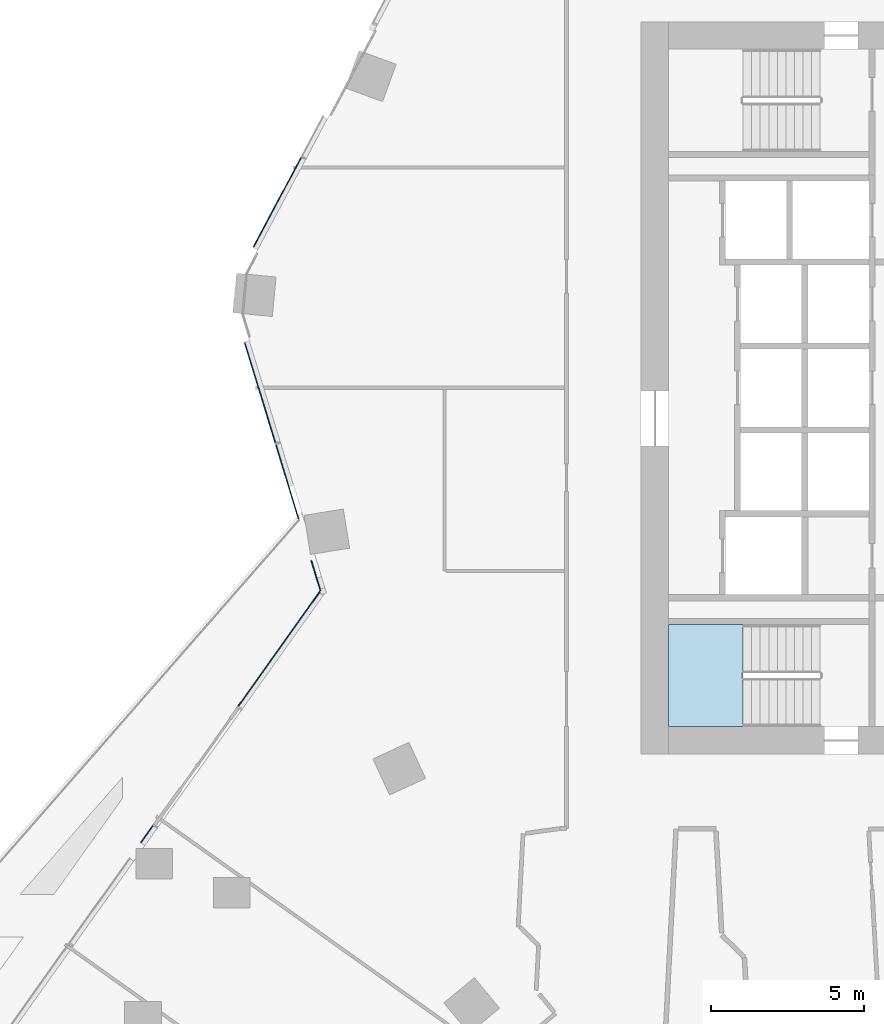
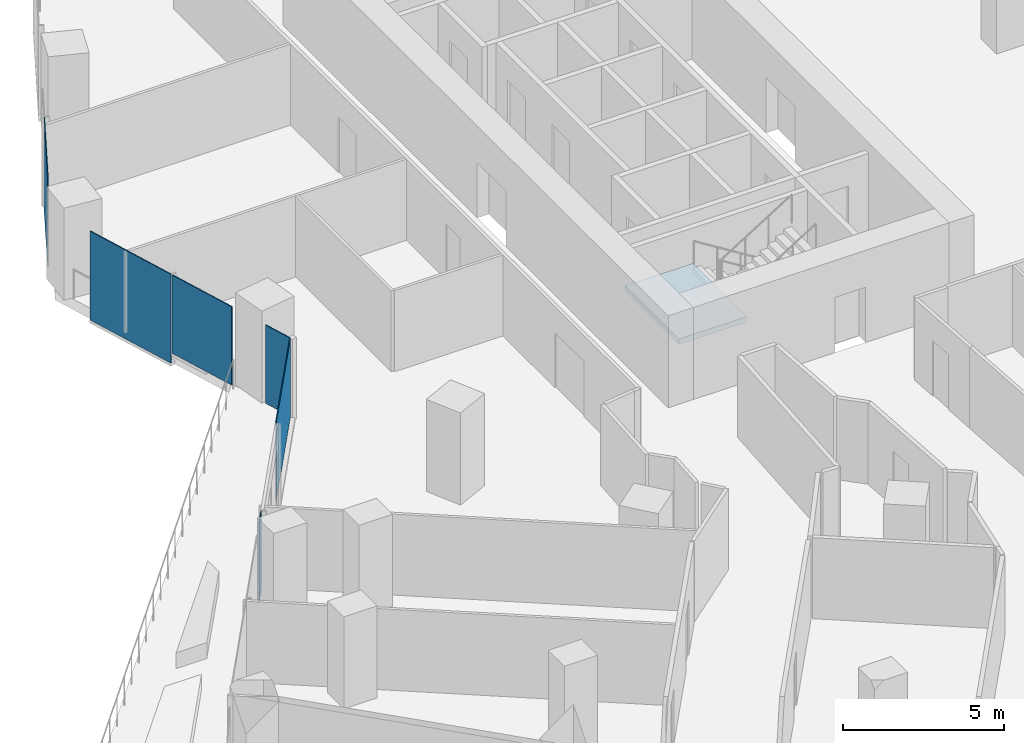
# One storey, part 17 of 30: 6 plates, 1 slab, 4 elements without a shape of their own.
"""IFC4 building model written with IfcOpenShell, lengths in metres."""

from ifc_helpers import new_model, si_unit, direction, frame, origin, origin_2d, place, context, subcontext, project, spatial, polyline, rectangle, outline, extrude, material, layer, layer_set, type_object, element, aggregate, save


model = new_model("IFC4")

# Units and contexts
model_context = context("Model", 3, precision=1e-05, world=origin(), true_north=direction((0.0, 1.0)))
body_context = subcontext(model_context, "Body", "Model", "MODEL_VIEW")
ifc_project = project(units=[si_unit("LENGTHUNIT", "METRE"), si_unit("AREAUNIT", "SQUARE_METRE"), si_unit("VOLUMEUNIT", "CUBIC_METRE"), si_unit("PLANEANGLEUNIT", "RADIAN"), si_unit("MASSUNIT", "GRAM", prefix="KILO")], contexts=[model_context])

# Site, building, storey
site_placement = place(None, origin())
site = spatial("IfcSite", under=ifc_project, at=site_placement, CompositionType="ELEMENT")
building_placement = place(site_placement, origin())
building = spatial("IfcBuilding", under=site, at=building_placement, Name="Orlundy Tower", CompositionType="ELEMENT")
storey_placement = place(building_placement, frame((0.0, 0.0, 80.699951171875)))
storey = spatial("IfcBuildingStorey", under=building, at=storey_placement, Name="L19", CompositionType="ELEMENT", Elevation=80.699951171875)

# Curtain wall, plates
ifc_material_1 = material(Name="Aluminium bronze anodised", Category="aluminium")
curtain_wall_type = type_object("IfcCurtainWallType", Name="CW1 wall", PredefinedType="NOTDEFINED", material=ifc_material_1)
curtain_wall_1_placement = place(storey_placement, origin())
curtain_wall_1 = element("IfcCurtainWall", 1, at=curtain_wall_1_placement, inside=storey, type_object=curtain_wall_type, Name="CW1 run 00", PredefinedType="NOTDEFINED")
ifc_material_2 = material(Name="Tinted glass", Category="glass")
ifc_layer_1 = layer(ifc_material_2, 0.031982421875)
ifc_layer_set_1 = layer_set([ifc_layer_1], Name="CW1 glass panel 32")
plate_type = type_object("IfcPlateType", Name="CW1 glass panel 32", PredefinedType="CURTAIN_PANEL", material=ifc_layer_set_1)
plate_1_placement = place(storey_placement, frame((-35.197998046875, -14.62255859375, 0.1201171875), z_axis=(0.0, 0.0, 1.0), x_axis=(0.580700988829, 0.814116921316, 0.0)))
plate_1 = element("IfcPlate", 2, at=plate_1_placement, type_object=plate_type, Name="CW1 panel", PredefinedType="CURTAIN_PANEL", context=body_context, shape_type="SweptSolid", body=[
    extrude(rectangle(XDim=0.681640625, YDim=0.031982421875, at=origin_2d()), origin(), (0.0, 0.0, 1.0), 2.97998046875),
])
plate_2_placement = place(storey_placement, frame((-30.859375, -8.540283203125, 0.1201171875), z_axis=(0.0, 0.0, 1.0), x_axis=(0.580700988829, 0.814116921316, 0.0)))
plate_2 = element("IfcPlate", 3, at=plate_2_placement, type_object=plate_type, Name="CW1 panel", PredefinedType="CURTAIN_PANEL", context=body_context, shape_type="SweptSolid", body=[
    extrude(rectangle(XDim=4.649658203125, YDim=0.031982421875, at=origin_2d()), origin(), (0.0, 0.0, 1.0), 2.97998046875),
])
aggregate(curtain_wall_1, [plate_1, plate_2])

curtain_wall_2_placement = place(storey_placement, origin())
curtain_wall_2 = element("IfcCurtainWall", 4, at=curtain_wall_2_placement, inside=storey, type_object=curtain_wall_type, Name="CW1 run 01", PredefinedType="NOTDEFINED")
plate_3_placement = place(storey_placement, frame((-29.660888671875, -6.15234375, 0.1201171875), z_axis=(0.0, 0.0, 1.0), x_axis=(-0.292389783533, 0.956299228529, 0.0)))
plate_3 = element("IfcPlate", 5, at=plate_3_placement, type_object=plate_type, Name="CW1 panel", PredefinedType="CURTAIN_PANEL", context=body_context, shape_type="SweptSolid", body=[
    extrude(rectangle(XDim=1.035888671875, YDim=0.031982421875, at=origin_2d()), origin(), (0.0, 0.0, 1.0), 2.97998046875),
])
plate_4_placement = place(storey_placement, frame((-30.603515625, -3.0693359375, 0.1201171875), z_axis=(0.0, 0.0, 1.0), x_axis=(-0.292389783533, 0.956299228529, 0.0)))
plate_4 = element("IfcPlate", 6, at=plate_4_placement, type_object=plate_type, Name="CW1 panel", PredefinedType="CURTAIN_PANEL", context=body_context, shape_type="SweptSolid", body=[
    extrude(rectangle(XDim=2.541015625, YDim=0.031982421875, at=origin_2d()), origin(), (0.0, 0.0, 1.0), 2.97998046875),
])
plate_5_placement = place(storey_placement, frame((-31.4921875, -0.16259765625, -0.27978515625), z_axis=(0.0, 0.0, 1.0), x_axis=(-0.292389783533, 0.956299228529, 0.0)))
plate_5 = element("IfcPlate", 7, at=plate_5_placement, type_object=plate_type, Name="CW1 panel", PredefinedType="CURTAIN_PANEL", context=body_context, shape_type="SweptSolid", body=[
    extrude(rectangle(XDim=3.43798828125, YDim=0.031982421875, at=origin_2d()), origin(), (0.0, 0.0, 1.0), 3.3798828125),
])
aggregate(curtain_wall_2, [plate_3, plate_4, plate_5])

# Curtain wall, plate
curtain_wall_3_placement = place(storey_placement, origin())
curtain_wall_3 = element("IfcCurtainWall", 8, at=curtain_wall_3_placement, inside=storey, type_object=curtain_wall_type, Name="CW1 run 02", PredefinedType="NOTDEFINED")
plate_6_placement = place(storey_placement, frame((-30.926025390625, 6.087158203125, -0.27978515625), z_axis=(0.0, 0.0, 1.0), x_axis=(0.469445471129, 0.882961465544, 0.0)))
plate_6 = element("IfcPlate", 9, at=plate_6_placement, type_object=plate_type, Name="CW1 panel", PredefinedType="CURTAIN_PANEL", context=body_context, shape_type="SweptSolid", body=[
    extrude(rectangle(XDim=3.326416015625, YDim=0.031982421875, at=origin_2d()), origin(), (0.0, 0.0, 1.0), 3.3798828125),
])
aggregate(curtain_wall_3, [plate_6])

# Stair, slab
ifc_material_3 = material(Name="Concrete C50/60", Category="concrete")
stair_type = type_object("IfcStairType", Name="Exit Stair 20 risers", PredefinedType="HALF_TURN_STAIR", material=ifc_material_3)
stair_placement = place(storey_placement, origin())
stair = element("IfcStair", 10, at=stair_placement, inside=storey, type_object=stair_type, Name="L19 Exit Stair ST-W2", PredefinedType="HALF_TURN_STAIR")
ifc_material_4 = material(Name="Concrete C50/60", Category="concrete")
ifc_layer_2 = layer(ifc_material_4, 0.199951171875)
ifc_layer_set_2 = layer_set([ifc_layer_2], Name="Exit Stair Landing")
slab_type = type_object("IfcSlabType", Name="Exit Stair Landing", PredefinedType="LANDING", material=ifc_layer_set_2)
slab_placement = place(storey_placement, frame((0.0, 0.0, 1.550048828125)))
slab = element("IfcSlab", 11, at=slab_placement, type_object=slab_type, Name="ST-W2 landing 1", PredefinedType="LANDING", context=body_context, shape_type="SweptSolid", body=[
    extrude(outline(polyline([(-15.659912109375, -7.75), (-18.10009765625, -7.75), (-18.10009765625, -11.10009765625), (-15.659912109375, -11.10009765625), (-15.659912109375, -7.75)])), origin(), (0.0, 0.0, 1.0), 0.199951171875),
])
aggregate(stair, [slab])

save(model, "model.ifc")
